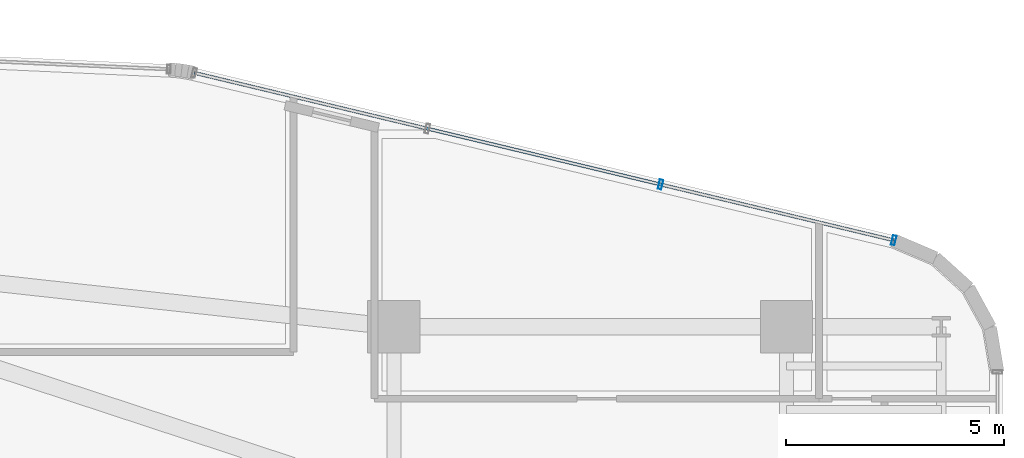
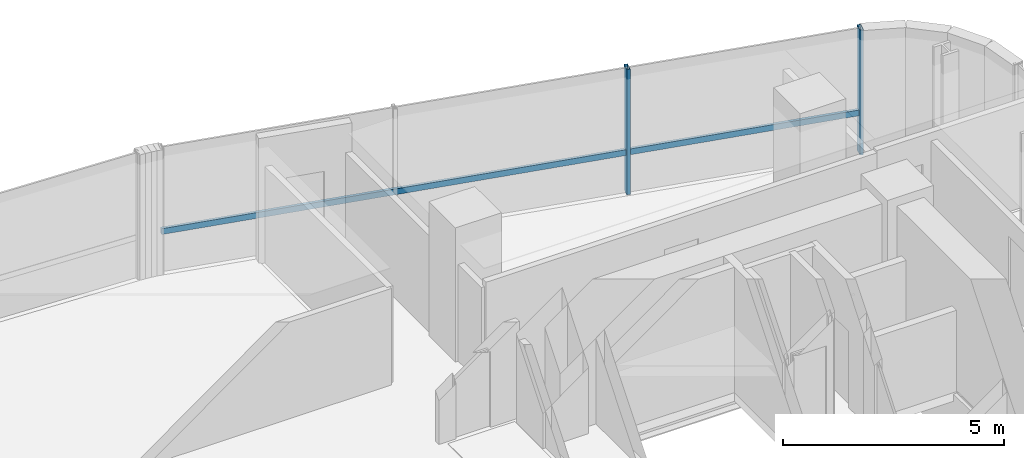
# One storey, part 24 of 35: 3 members, 1 element without a shape of its own.
"""IFC4 building model written with IfcOpenShell, lengths in metres."""

from ifc_helpers import new_model, si_unit, direction, frame, origin, origin_2d, place, context, subcontext, project, spatial, hollow_rectangle, extrude, source, transform, mapped, material, material_profile, profile_set, type_object, element, aggregate, save


model = new_model("IFC4")

# Units and contexts
model_context = context("Model", 3, precision=1e-05, world=origin(), true_north=direction((0.0, 1.0)))
body_context = subcontext(model_context, "Body", "Model", "MODEL_VIEW")
ifc_project = project(units=[si_unit("LENGTHUNIT", "METRE"), si_unit("AREAUNIT", "SQUARE_METRE"), si_unit("VOLUMEUNIT", "CUBIC_METRE"), si_unit("PLANEANGLEUNIT", "RADIAN"), si_unit("MASSUNIT", "GRAM", prefix="KILO")], contexts=[model_context])

# Site, building, storey
site_placement = place(None, origin())
site = spatial("IfcSite", under=ifc_project, at=site_placement, CompositionType="ELEMENT")
building_placement = place(site_placement, origin())
building = spatial("IfcBuilding", under=site, at=building_placement, Name="Valdorenza Pilgrim Sanctuary Tower", CompositionType="ELEMENT")
storey_placement = place(building_placement, frame((0.0, 0.0, 150.10009765625)))
storey = spatial("IfcBuildingStorey", under=building, at=storey_placement, Name="L38", CompositionType="ELEMENT", Elevation=150.10009765625)

# Curtain wall, members
ifc_material_1 = material(Name="Curtain-wall IGU glazing", Category="glass")
curtain_wall_type = type_object("IfcCurtainWallType", Name="CW-SYS-03", PredefinedType="NOTDEFINED", material=ifc_material_1)
curtain_wall_placement = place(storey_placement, origin())
curtain_wall = element("IfcCurtainWall", 1, at=curtain_wall_placement, inside=storey, type_object=curtain_wall_type, Name="L38 Curtain Wall CW-L38-1-16", PredefinedType="NOTDEFINED")
ifc_material_2 = material(Name="Anodised aluminium AW-6060", Category="aluminium")
ifc_material_profile_1 = material_profile(ifc_material_2, hollow_rectangle(XDim=0.0849609375, YDim=0.219970703125, WallThickness=0.0048828125, at=origin_2d()), Name="ALU-M 220x85x5")
ifc_profile_set_1 = profile_set([ifc_material_profile_1], Name="Anodised aluminium AW-6060")
member_type_1 = type_object("IfcMemberType", Name="CW-MUL-03", PredefinedType="MULLION", material=ifc_profile_set_1)
shared_shape_1 = source(origin(), body_context, "Body", "SweptSolid", [
    extrude(hollow_rectangle(XDim=0.0849609375, YDim=0.219970703125, WallThickness=0.0048828125, at=origin_2d()), origin(), (0.0, 0.0, 1.0), 3.4599609375),
])
member_1_placement = place(storey_placement, frame((21.964111328125, 16.7626953125, 0.0), z_axis=(0.0, 0.0, 1.0), x_axis=(0.972528596343, -0.232783438617, 0.0)))
member_1 = element("IfcMember", 2, at=member_1_placement, type_object=member_type_1, Name="CW-L38-1-16 Mullion 3", PredefinedType="MULLION", context=body_context, shape_type="MappedRepresentation", body=[
    mapped(shared_shape_1, transform((0.0, 0.0, 0.0), x_axis=(1.0, 0.0, 0.0), y_axis=(0.0, 1.0, 0.0), z_axis=(0.0, 0.0, 1.0), scale=1.0)),
])
member_2_placement = place(storey_placement, frame((27.310302734375, 15.48291015625, 0.0), z_axis=(0.0, 0.0, 1.0), x_axis=(0.972528596343, -0.232783438617, 0.0)))
member_2 = element("IfcMember", 3, at=member_2_placement, type_object=member_type_1, Name="CW-L38-1-16 Mullion 4", PredefinedType="MULLION", context=body_context, shape_type="MappedRepresentation", body=[
    mapped(shared_shape_1, transform((0.0, 0.0, 0.0), x_axis=(1.0, 0.0, 0.0), y_axis=(0.0, 1.0, 0.0), z_axis=(0.0, 0.0, 1.0), scale=1.0)),
])
ifc_material_profile_2 = material_profile(ifc_material_2, hollow_rectangle(XDim=0.074951171875, YDim=0.159912109375, WallThickness=0.00390625, at=origin_2d()), Name="ALU-T 160x75x4")
ifc_profile_set_2 = profile_set([ifc_material_profile_2], Name="Anodised aluminium AW-6060")
member_type_2 = type_object("IfcMemberType", Name="CW-TRN-03", PredefinedType="USERDEFINED", material=ifc_profile_set_2)
shared_shape_2 = source(origin(), body_context, "Body", "SweptSolid", [
    extrude(hollow_rectangle(XDim=0.074951171875, YDim=0.159912109375, WallThickness=0.00390625, at=origin_2d()), origin(), (0.0, 0.0, 1.0), 16.491943359375),
])
member_3_placement = place(storey_placement, frame((11.271484375, 19.322021484375, 1.119873046875), z_axis=(0.972527548122, -0.232787817859, 0.0), x_axis=(0.232787817859, 0.972527548122, 0.0)))
member_3 = element("IfcMember", 4, at=member_3_placement, type_object=member_type_2, Name="CW-L38-1-16 Transom 1", ObjectType="TRANSOM", PredefinedType="USERDEFINED", context=body_context, shape_type="MappedRepresentation", body=[
    mapped(shared_shape_2, transform((0.0, 0.0, 0.0), x_axis=(1.0, 0.0, 0.0), y_axis=(0.0, 1.0, 0.0), z_axis=(0.0, 0.0, 1.0), scale=1.0)),
])
aggregate(curtain_wall, [member_1, member_2, member_3])

save(model, "model.ifc")
